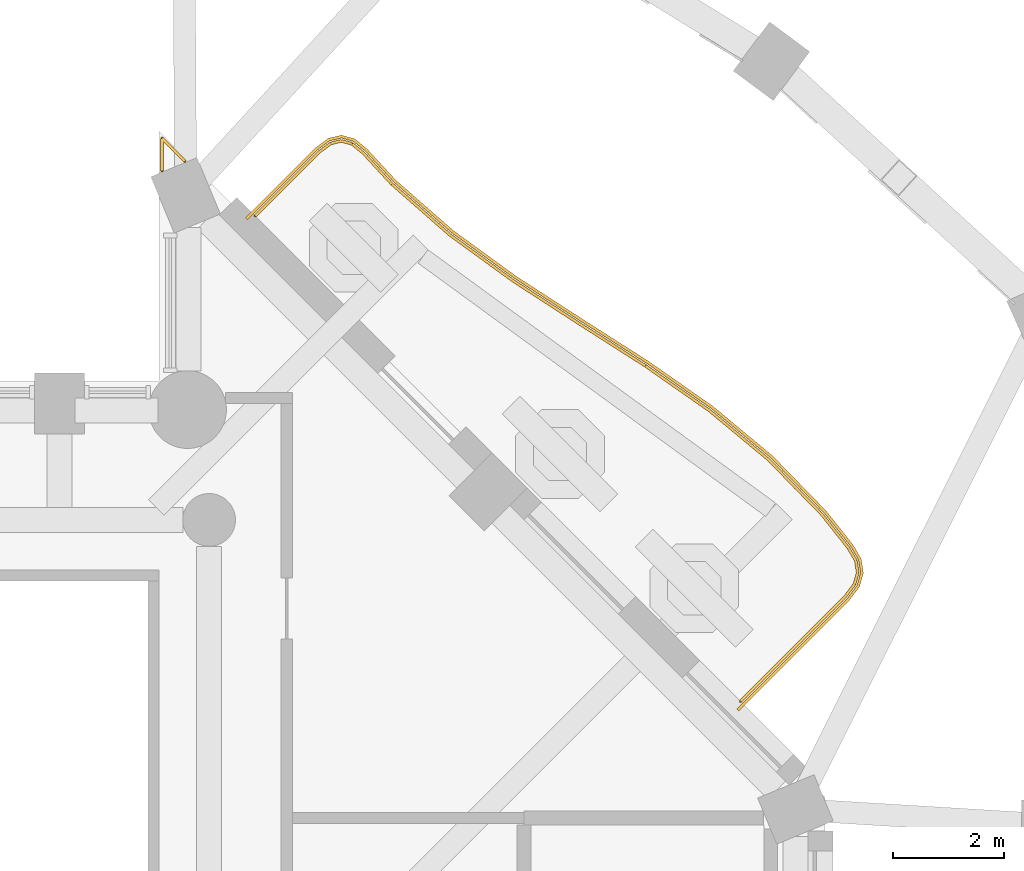
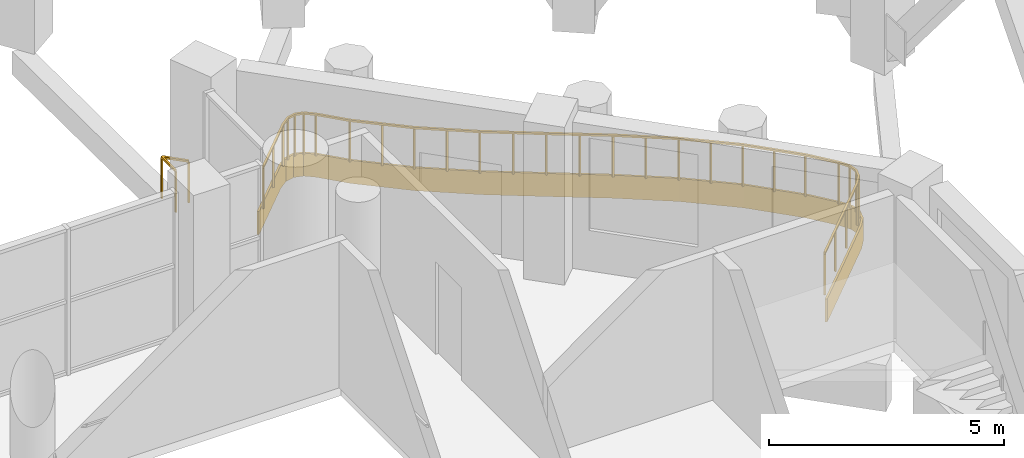
# One storey, part 15 of 16: 2 railings, 1 covering.
"""IFC4 building model written with IfcOpenShell, lengths in metres."""

import ifcopenshell
import ifcopenshell.guid

model = None  # the IFC model being written
_history = None  # IfcOwnerHistory: only IFC2X3 demands one
_inside = {}  # id of a spatial element -> (the spatial element, [elements in it])
_under = {}  # id of a project, library or spatial element -> (it, [spatial elements below it])
_declared = {}  # id of a project -> (the project, [libraries it declares])
_typed = {}  # id of a type object -> (the type object, [elements of that type])
_made_of = {}  # id of a material, layer set ... -> (it, [elements and type objects made of it])


def new_model(schema):
    """Start an empty IFC model of exactly this schema.

    Asked for "IFC4X3", IfcOpenShell would pick the latest addendum, in which some entities
    have other attributes; the version numbers below select the first issue.
    IFC2X3 requires an IfcOwnerHistory on every rooted entity: one is made here for all.
    """
    global model, _history
    if schema == "IFC4X3":
        model = ifcopenshell.file(schema_version=(4, 3, 0, 0))
    else:
        model = ifcopenshell.file(schema=schema)
    _inside.clear()
    _under.clear()
    _declared.clear()
    _typed.clear()
    _made_of.clear()
    _history = None
    if model.schema == "IFC2X3":
        org = make("IfcOrganization", Name="unknown")
        user = make(
            "IfcPersonAndOrganization",
            ThePerson=make("IfcPerson", FamilyName="unknown"),
            TheOrganization=org,
        )
        app = make(
            "IfcApplication",
            ApplicationDeveloper=org,
            Version="unknown",
            ApplicationFullName="unknown",
            ApplicationIdentifier="unknown",
        )
        _history = make(
            "IfcOwnerHistory",
            OwningUser=user,
            OwningApplication=app,
            ChangeAction="ADDED",
            CreationDate=0,
        )
    return model


def make(cls, **values):
    """One entity of the class cls with the attributes given. An attribute that is None is left unset."""
    return model.create_entity(
        cls, **{name: value for name, value in values.items() if value is not None}
    )


def rooted(cls, **values):
    """An entity with a GlobalId (a new one), such as an element, a storey or a relation."""
    return make(cls, GlobalId=ifcopenshell.guid.new(), OwnerHistory=_history, **values)


def si_unit(unit_type, name, prefix=None):
    """IfcSIUnit, for example si_unit("LENGTHUNIT", "METRE", prefix="MILLI")."""
    return make("IfcSIUnit", UnitType=unit_type, Prefix=prefix, Name=name)


def assignment(units):
    """IfcUnitAssignment: the units of a project."""
    return None if units is None else make("IfcUnitAssignment", Units=units)


def point(xyz):
    """IfcCartesianPoint."""
    return None if xyz is None else make("IfcCartesianPoint", Coordinates=xyz)


def direction(xyz):
    """IfcDirection."""
    return None if xyz is None else make("IfcDirection", DirectionRatios=xyz)


def frame(location, z_axis=None, x_axis=None):
    """IfcAxis2Placement3D, a coordinate frame: its origin and axes. An axis left out is left unset."""
    return make(
        "IfcAxis2Placement3D",
        Location=point(location),
        Axis=direction(z_axis),
        RefDirection=direction(x_axis),
    )


def frame_2d(location, x_axis=None):
    """IfcAxis2Placement2D, a coordinate frame in the plane: its origin and x axis."""
    return make(
        "IfcAxis2Placement2D", Location=point(location), RefDirection=direction(x_axis)
    )


def origin():
    """The frame at (0, 0, 0) with its axes left unset."""
    return frame((0.0, 0.0, 0.0))


def origin_2d():
    """The frame at (0, 0) in the plane with its x axis left unset."""
    return frame_2d((0.0, 0.0))


def place(relative_to, where):
    """IfcLocalPlacement: puts the frame where relative to a parent placement (None: the world)."""
    return make(
        "IfcLocalPlacement", PlacementRelTo=relative_to, RelativePlacement=where
    )


def context(
    kind, dimensions, precision=None, world=None, true_north=None, identifier=None
):
    """IfcGeometricRepresentationContext, for example the 3D "Model" context."""
    return make(
        "IfcGeometricRepresentationContext",
        ContextIdentifier=identifier,
        ContextType=kind,
        CoordinateSpaceDimension=dimensions,
        Precision=precision,
        WorldCoordinateSystem=world,
        TrueNorth=true_north,
    )


def subcontext(parent, identifier, kind, view, scale=None):
    """IfcGeometricRepresentationSubContext, for example "Body" below "Model"."""
    return make(
        "IfcGeometricRepresentationSubContext",
        ContextIdentifier=identifier,
        ContextType=kind,
        ParentContext=parent,
        TargetScale=scale,
        TargetView=view,
    )


def project(units=None, contexts=None):
    """IfcProject with its units and contexts."""
    return rooted(
        "IfcProject",
        Name="project",
        RepresentationContexts=contexts,
        UnitsInContext=assignment(units),
    )


def spatial(cls, under=None, at=None, **own):
    """A site, building, storey or space (cls), placed at a placement, below another one or the project."""
    s = rooted(cls, ObjectPlacement=at, **own)
    if under is not None:
        _under.setdefault(under.id(), (under, []))[1].append(s)
    return s


def polyline(points):
    """IfcPolyline through the points."""
    return make("IfcPolyline", Points=[point(p) for p in points])


def profile(cls, at=None, kind="AREA", **sizes):
    """A parametric profile (cls). Its sizes go by their IFC names, for example OverallWidth=200.0."""
    return make(cls, ProfileType=kind, Position=at, **sizes)


def rectangle(**sizes):
    """IfcRectangleProfileDef."""
    return profile("IfcRectangleProfileDef", **sizes)


def outline(outer, holes=None, kind="AREA"):
    """IfcArbitraryClosedProfileDef: a profile drawn as a closed curve; with holes, ...WithVoids."""
    if holes is None:
        return make("IfcArbitraryClosedProfileDef", ProfileType=kind, OuterCurve=outer)
    return make(
        "IfcArbitraryProfileDefWithVoids",
        ProfileType=kind,
        OuterCurve=outer,
        InnerCurves=holes,
    )


def extrude(swept, where, along, depth):
    """IfcExtrudedAreaSolid: the profile swept, set in the frame where, extruded along a direction by depth."""
    return make(
        "IfcExtrudedAreaSolid",
        SweptArea=swept,
        Position=where,
        ExtrudedDirection=direction(along),
        Depth=depth,
    )


def shape(context_of_items, identifier, shape_type, items):
    """IfcShapeRepresentation: the items that make up one representation, for example the "Body"."""
    return make(
        "IfcShapeRepresentation",
        ContextOfItems=context_of_items,
        RepresentationIdentifier=identifier,
        RepresentationType=shape_type,
        Items=items,
    )


def material(Name=None, Category=None):
    """IfcMaterial."""
    return make("IfcMaterial", Name=Name, Category=Category)


def layer(
    of_material, thickness, ventilated=None, Name=None, Category=None, Priority=None
):
    """IfcMaterialLayer: one layer of a wall or slab, of a material (None: an air gap)."""
    return make(
        "IfcMaterialLayer",
        Material=of_material,
        LayerThickness=thickness,
        IsVentilated=ventilated,
        Name=Name,
        Category=Category,
        Priority=Priority,
    )


def layer_set(layers, Name=None):
    """IfcMaterialLayerSet."""
    return make("IfcMaterialLayerSet", MaterialLayers=layers, LayerSetName=Name)


def made_of(thing, what):
    """Note that an element or type object is made of a material, layer set ...; save() writes the relation."""
    if what is not None:
        _made_of.setdefault(what.id(), (what, []))[1].append(thing)
    return thing


def type_object(cls, material=None, **own):
    """A type object (cls), such as IfcWallType, which elements share."""
    return made_of(rooted(cls, **own), material)


def element(
    cls,
    number,
    at=None,
    inside=None,
    cuts=None,
    type_object=None,
    material=None,
    context=None,
    identifier="Body",
    shape_type=None,
    held_by="IfcProductDefinitionShape",
    body=None,
    shapes=None,
    **own,
):
    """One element of the class cls, such as IfcWall. Its Tag is "e" and its number.

    at: its placement. inside: the storey or other place that contains it. cuts: it is an
    opening in that element (IfcRelVoidsElement). A single representation is given by context,
    identifier, shape_type and body (its items); several are given by shapes. held_by: the class
    of the entity that holds the representations. save() writes the other relations.
    """
    e = rooted(cls, Tag="e%d" % number, ObjectPlacement=at, **own)
    if body is not None:
        shapes = [shape(context, identifier, shape_type, body)]
    if shapes is not None:
        e.Representation = make(held_by, Representations=shapes)
    if inside is not None:
        _inside.setdefault(inside.id(), (inside, []))[1].append(e)
    if cuts is not None:
        rooted(
            "IfcRelVoidsElement", RelatingBuildingElement=cuts, RelatedOpeningElement=e
        )
    if type_object is not None:
        _typed.setdefault(type_object.id(), (type_object, []))[1].append(e)
    return made_of(e, material)


def aggregate(whole, parts):
    """IfcRelAggregates: a whole, such as a stair, and the parts it consists of."""
    return rooted("IfcRelAggregates", RelatingObject=whole, RelatedObjects=parts)


def save(model, path):
    """Write the relations noted so far, then the file.

    IfcRelAggregates (storeys below a building ...), IfcRelContainedInSpatialStructure (elements
    in a storey), IfcRelDefinesByType, IfcRelAssociatesMaterial and IfcRelDeclares: one each for
    every whole, place, type object, material and project.
    """
    for whole, parts in _under.values():
        aggregate(whole, parts)
    for where, things in _inside.values():
        rooted(
            "IfcRelContainedInSpatialStructure",
            RelatedElements=things,
            RelatingStructure=where,
        )
    for kind, things in _typed.values():
        rooted("IfcRelDefinesByType", RelatedObjects=things, RelatingType=kind)
    for what, things in _made_of.values():
        rooted("IfcRelAssociatesMaterial", RelatedObjects=things, RelatingMaterial=what)
    for by, libraries in _declared.values():
        rooted("IfcRelDeclares", RelatingContext=by, RelatedDefinitions=libraries)
    model.write(path)


model = new_model("IFC4")

# Units and contexts
model_context = context("Model", 3, precision=1e-05, world=origin(), true_north=direction((0.0, 1.0)))
body_context = subcontext(model_context, "Body", "Model", "MODEL_VIEW")
ifc_project = project(units=[si_unit("LENGTHUNIT", "METRE"), si_unit("AREAUNIT", "SQUARE_METRE"), si_unit("VOLUMEUNIT", "CUBIC_METRE"), si_unit("PLANEANGLEUNIT", "RADIAN"), si_unit("MASSUNIT", "GRAM", prefix="KILO")], contexts=[model_context])

# Site, building, storey
site_placement = place(None, origin())
site = spatial("IfcSite", under=ifc_project, at=site_placement, CompositionType="ELEMENT")
building_placement = place(site_placement, origin())
building = spatial("IfcBuilding", under=site, at=building_placement, Name="Cypress Arch Tower", CompositionType="ELEMENT")
storey_placement = place(building_placement, frame((0.0, 0.0, 168.699951171875)))
storey = spatial("IfcBuildingStorey", under=building, at=storey_placement, Name="L36", CompositionType="ELEMENT", Elevation=168.699951171875)

# Covering
ifc_material_1 = material(Name="White powder-coated aluminium fascia", Category="aluminium")
ifc_layer = layer(ifc_material_1, 0.050048828125)
ifc_layer_set = layer_set([ifc_layer], Name="Balcony fascia BF50")
covering_type = type_object("IfcCoveringType", Name="Balcony fascia BF50", PredefinedType="CLADDING", material=ifc_layer_set)
covering_placement = place(storey_placement, frame((0.0, 0.0, -0.599853515625)))
element("IfcCovering", 1, at=covering_placement, inside=storey, type_object=covering_type, Name="Balcony fascia L36-B05", PredefinedType="CLADDING", context=body_context, shape_type="SweptSolid", body=[
    extrude(outline(polyline([(10.91748046875, 16.706298828125), (11.148193359375, 16.87890625), (11.38818359375, 16.936279296875), (11.62548828125, 16.869140625), (11.8486328125, 16.68701171875), (12.365966796875, 16.12548828125), (13.406982421875, 15.2138671875), (14.539306640625, 14.3916015625), (15.727783203125, 13.62255859375), (16.9248046875, 12.85888671875), (18.080810546875, 12.05078125), (19.154541015625, 11.158447265625), (20.124755859375, 10.161865234375), (20.60498046875, 9.5556640625), (20.754150390625, 9.301513671875), (20.7958984375, 9.044189453125), (20.724609375, 8.793701171875), (20.547119140625, 8.558349609375), (18.545166015625, 6.556396484375), (18.509765625, 6.591796875), (20.50927734375, 8.59130859375), (20.67919921875, 8.816162109375), (20.744873046875, 9.047119140625), (20.706298828125, 9.2841796875), (20.5634765625, 9.52734375), (20.087158203125, 10.12890625), (19.12060546875, 11.121826171875), (18.05029296875, 12.010986328125), (16.897216796875, 12.8173828125), (15.70068359375, 13.58056640625), (14.510986328125, 14.350341796875), (13.375732421875, 15.1748046875), (12.3310546875, 16.089599609375), (11.814453125, 16.650634765625), (11.601806640625, 16.823974609375), (11.386962890625, 16.884521484375), (11.169921875, 16.832763671875), (10.950439453125, 16.66845703125), (9.691650390625, 15.40966796875), (9.65625, 15.445068359375), (10.91748046875, 16.706298828125)])), origin(), (0.0, 0.0, 1.0), 0.599853515625),
])

# Railings
ifc_material_2 = material(Name="Powder-coated steel posts and rods, 100 mm clear between rods", Category="steel")
railing_type_1 = type_object("IfcRailingType", Name="Balcony guard GR1100", PredefinedType="GUARDRAIL", material=ifc_material_2)
railing_1_placement = place(storey_placement, frame((9.83251953125, 15.479736328125, 0.0)))
element("IfcRailing", 2, at=railing_1_placement, inside=storey, type_object=railing_type_1, Name="Balcony guard L36-B05", PredefinedType="GUARDRAIL", context=body_context, shape_type="SweptSolid", body=[
    extrude(rectangle(XDim=0.050048828125, YDim=0.050048828125, at=origin_2d()), frame((0.0, 0.0, 1.0751953125), z_axis=(0.707031768533, 0.707181785883, 0.0), x_axis=(-0.707181785883, 0.707031768533, 0.0)), (0.0, 0.0, 1.0), 1.62744140625),
    extrude(rectangle(XDim=0.050048828125, YDim=0.050048828125, at=origin_2d()), frame((1.150634765625, 1.15087890625, 1.0751953125), z_axis=(0.80033764762, 0.599549539073, 0.0), x_axis=(-0.599549539073, 0.80033764762, 0.0)), (0.0, 0.0, 1.0), 0.26025390625),
    extrude(rectangle(XDim=0.050048828125, YDim=0.050048828125, at=origin_2d()), frame((1.35888671875, 1.306884765625, 1.0751953125), z_axis=(0.972740698198, 0.231895524037, 0.0), x_axis=(-0.231895524037, 0.972740698198, 0.0)), (0.0, 0.0, 1.0), 0.199951171875),
    extrude(rectangle(XDim=0.050048828125, YDim=0.050048828125, at=origin_2d()), frame((1.553466796875, 1.353271484375, 1.0751953125), z_axis=(0.962212082575, -0.272301135044, 0.0), x_axis=(0.272301135044, 0.962212082575, 0.0)), (0.0, 0.0, 1.0), 0.199951171875),
    extrude(rectangle(XDim=0.050048828125, YDim=0.050048828125, at=origin_2d()), frame((1.745849609375, 1.298828125, 1.0751953125), z_axis=(0.774792471384, -0.632215648562, 0.0), x_axis=(0.632215648562, 0.774792471384, 0.0)), (0.0, 0.0, 1.0), 0.26025390625),
    extrude(rectangle(XDim=0.050048828125, YDim=0.050048828125, at=origin_2d()), frame((1.947509765625, 1.13427734375, 1.0751953125), z_axis=(0.677507694657, -0.735515685543, 0.0), x_axis=(0.735515685543, 0.677507694657, 0.0)), (0.0, 0.0, 1.0), 0.76171875),
    extrude(rectangle(XDim=0.050048828125, YDim=0.050048828125, at=origin_2d()), frame((2.463623046875, 0.573974609375, 1.0751953125), z_axis=(0.752251034808, -0.65887660501, 0.0), x_axis=(0.65887660501, 0.752251034808, 0.0)), (0.0, 0.0, 1.0), 1.3935546875),
    extrude(rectangle(XDim=0.050048828125, YDim=0.050048828125, at=origin_2d()), frame((3.511962890625, -0.34423828125, 1.0751953125), z_axis=(0.809193694642, -0.587541968332, 0.0), x_axis=(0.587541968332, 0.809193694642, 0.0)), (0.0, 0.0, 1.0), 1.406494140625),
    extrude(rectangle(XDim=0.050048828125, YDim=0.050048828125, at=origin_2d()), frame((4.650146484375, -1.170654296875, 1.0751953125), z_axis=(0.839519362053, -0.543329771628, 0.0), x_axis=(0.543329771628, 0.839519362053, 0.0)), (0.0, 0.0, 1.0), 1.41845703125),
    extrude(rectangle(XDim=0.050048828125, YDim=0.050048828125, at=origin_2d()), frame((5.841064453125, -1.94140625, 1.0751953125), z_axis=(0.843108189234, -0.537743973697, 0.0), x_axis=(0.537743973697, 0.843108189234, 0.0)), (0.0, 0.0, 1.0), 1.418212890625),
    extrude(rectangle(XDim=0.050048828125, YDim=0.050048828125, at=origin_2d()), frame((7.036865234375, -2.7041015625, 1.0751953125), z_axis=(0.819566732725, -0.572983743757, 0.0), x_axis=(0.572983743757, 0.819566732725, 0.0)), (0.0, 0.0, 1.0), 1.404052734375),
    extrude(rectangle(XDim=0.050048828125, YDim=0.050048828125, at=origin_2d()), frame((8.1875, -3.508544921875, 1.0751953125), z_axis=(0.769158421439, -0.639058152855, 0.0), x_axis=(0.639058152855, 0.769158421439, 0.0)), (0.0, 0.0, 1.0), 1.38671875),
    extrude(rectangle(XDim=0.050048828125, YDim=0.050048828125, at=origin_2d()), frame((9.254150390625, -4.394775390625, 1.0751953125), z_axis=(0.697492444578, -0.716592136265, 0.0), x_axis=(0.716592136265, 0.697492444578, 0.0)), (0.0, 0.0, 1.0), 1.380615234375),
    extrude(rectangle(XDim=0.050048828125, YDim=0.050048828125, at=origin_2d()), frame((10.217041015625, -5.384033203125, 1.0751953125), z_axis=(0.62093293947, -0.783863690116, 0.0), x_axis=(0.783863690116, 0.62093293947, 0.0)), (0.0, 0.0, 1.0), 0.76123046875),
    extrude(rectangle(XDim=0.050048828125, YDim=0.050048828125, at=origin_2d()), frame((10.689697265625, -5.980712890625, 1.0751953125), z_axis=(0.506464702582, -0.86226069436, 0.0), x_axis=(0.86226069436, 0.506464702582, 0.0)), (0.0, 0.0, 1.0), 0.26904296875),
    extrude(rectangle(XDim=0.050048828125, YDim=0.050048828125, at=origin_2d()), frame((10.825927734375, -6.212646484375, 1.0751953125), z_axis=(0.160071158554, -0.987105477748, 0.0), x_axis=(0.987105477748, 0.160071158554, 0.0)), (0.0, 0.0, 1.0), 0.2197265625),
    extrude(rectangle(XDim=0.050048828125, YDim=0.050048828125, at=origin_2d()), frame((10.861083984375, -6.429443359375, 1.0751953125), z_axis=(-0.273253730261, -0.961941993521, 0.0), x_axis=(0.961941993521, -0.273253730261, 0.0)), (0.0, 0.0, 1.0), 0.2197265625),
    extrude(rectangle(XDim=0.050048828125, YDim=0.050048828125, at=origin_2d()), frame((10.801025390625, -6.640869140625, 1.0751953125), z_axis=(-0.602756036208, -0.797925535884, 0.0), x_axis=(0.797925535884, -0.602756036208, 0.0)), (0.0, 0.0, 1.0), 0.26904296875),
    extrude(rectangle(XDim=0.050048828125, YDim=0.050048828125, at=origin_2d()), frame((10.638916015625, -6.85546875, 1.0751953125), z_axis=(-0.707061151091, -0.707152408338, 0.0), x_axis=(0.707152408338, -0.707061151091, 0.0)), (0.0, 0.0, 1.0), 2.67529296875),
    extrude(rectangle(XDim=0.0400390625, YDim=0.0400390625, at=origin_2d()), origin(), (0.0, 0.0, 1.0), 1.050048828125),
    extrude(rectangle(XDim=0.0400390625, YDim=0.0400390625, at=origin_2d()), frame((0.5751953125, 0.575439453125, 0.0)), (0.0, 0.0, 1.0), 1.050048828125),
    extrude(rectangle(XDim=0.0400390625, YDim=0.0400390625, at=origin_2d()), frame((1.150634765625, 1.15087890625, 0.0)), (0.0, 0.0, 1.0), 1.050048828125),
    extrude(rectangle(XDim=0.0400390625, YDim=0.0400390625, at=origin_2d()), frame((1.35888671875, 1.306884765625, 0.0)), (0.0, 0.0, 1.0), 1.050048828125),
    extrude(rectangle(XDim=0.0400390625, YDim=0.0400390625, at=origin_2d()), frame((1.553466796875, 1.353271484375, 0.0)), (0.0, 0.0, 1.0), 1.050048828125),
    extrude(rectangle(XDim=0.0400390625, YDim=0.0400390625, at=origin_2d()), frame((1.745849609375, 1.298828125, 0.0)), (0.0, 0.0, 1.0), 1.050048828125),
    extrude(rectangle(XDim=0.0400390625, YDim=0.0400390625, at=origin_2d()), frame((1.947509765625, 1.13427734375, 0.0)), (0.0, 0.0, 1.0), 1.050048828125),
    extrude(rectangle(XDim=0.0400390625, YDim=0.0400390625, at=origin_2d()), frame((2.463623046875, 0.573974609375, 0.0)), (0.0, 0.0, 1.0), 1.050048828125),
    extrude(rectangle(XDim=0.0400390625, YDim=0.0400390625, at=origin_2d()), frame((2.98779296875, 0.11474609375, 0.0)), (0.0, 0.0, 1.0), 1.050048828125),
    extrude(rectangle(XDim=0.0400390625, YDim=0.0400390625, at=origin_2d()), frame((3.511962890625, -0.34423828125, 0.0)), (0.0, 0.0, 1.0), 1.050048828125),
    extrude(rectangle(XDim=0.0400390625, YDim=0.0400390625, at=origin_2d()), frame((4.0810546875, -0.75732421875, 0.0)), (0.0, 0.0, 1.0), 1.050048828125),
    extrude(rectangle(XDim=0.0400390625, YDim=0.0400390625, at=origin_2d()), frame((4.650146484375, -1.170654296875, 0.0)), (0.0, 0.0, 1.0), 1.050048828125),
    extrude(rectangle(XDim=0.0400390625, YDim=0.0400390625, at=origin_2d()), frame((5.24560546875, -1.55615234375, 0.0)), (0.0, 0.0, 1.0), 1.050048828125),
    extrude(rectangle(XDim=0.0400390625, YDim=0.0400390625, at=origin_2d()), frame((5.841064453125, -1.94140625, 0.0)), (0.0, 0.0, 1.0), 1.050048828125),
    extrude(rectangle(XDim=0.0400390625, YDim=0.0400390625, at=origin_2d()), frame((6.43896484375, -2.32275390625, 0.0)), (0.0, 0.0, 1.0), 1.050048828125),
    extrude(rectangle(XDim=0.0400390625, YDim=0.0400390625, at=origin_2d()), frame((7.036865234375, -2.7041015625, 0.0)), (0.0, 0.0, 1.0), 1.050048828125),
    extrude(rectangle(XDim=0.0400390625, YDim=0.0400390625, at=origin_2d()), frame((7.6123046875, -3.1064453125, 0.0)), (0.0, 0.0, 1.0), 1.050048828125),
    extrude(rectangle(XDim=0.0400390625, YDim=0.0400390625, at=origin_2d()), frame((8.1875, -3.508544921875, 0.0)), (0.0, 0.0, 1.0), 1.050048828125),
    extrude(rectangle(XDim=0.0400390625, YDim=0.0400390625, at=origin_2d()), frame((8.720703125, -3.95166015625, 0.0)), (0.0, 0.0, 1.0), 1.050048828125),
    extrude(rectangle(XDim=0.0400390625, YDim=0.0400390625, at=origin_2d()), frame((9.254150390625, -4.394775390625, 0.0)), (0.0, 0.0, 1.0), 1.050048828125),
    extrude(rectangle(XDim=0.0400390625, YDim=0.0400390625, at=origin_2d()), frame((9.735595703125, -4.889404296875, 0.0)), (0.0, 0.0, 1.0), 1.050048828125),
    extrude(rectangle(XDim=0.0400390625, YDim=0.0400390625, at=origin_2d()), frame((10.217041015625, -5.384033203125, 0.0)), (0.0, 0.0, 1.0), 1.050048828125),
    extrude(rectangle(XDim=0.0400390625, YDim=0.0400390625, at=origin_2d()), frame((10.689697265625, -5.980712890625, 0.0)), (0.0, 0.0, 1.0), 1.050048828125),
    extrude(rectangle(XDim=0.0400390625, YDim=0.0400390625, at=origin_2d()), frame((10.825927734375, -6.212646484375, 0.0)), (0.0, 0.0, 1.0), 1.050048828125),
    extrude(rectangle(XDim=0.0400390625, YDim=0.0400390625, at=origin_2d()), frame((10.861083984375, -6.429443359375, 0.0)), (0.0, 0.0, 1.0), 1.050048828125),
    extrude(rectangle(XDim=0.0400390625, YDim=0.0400390625, at=origin_2d()), frame((10.801025390625, -6.640869140625, 0.0)), (0.0, 0.0, 1.0), 1.050048828125),
    extrude(rectangle(XDim=0.0400390625, YDim=0.0400390625, at=origin_2d()), frame((10.638916015625, -6.85546875, 0.0)), (0.0, 0.0, 1.0), 1.050048828125),
    extrude(rectangle(XDim=0.0400390625, YDim=0.0400390625, at=origin_2d()), frame((10.00830078125, -7.486083984375, 0.0)), (0.0, 0.0, 1.0), 1.050048828125),
    extrude(rectangle(XDim=0.0400390625, YDim=0.0400390625, at=origin_2d()), frame((9.3779296875, -8.11669921875, 0.0)), (0.0, 0.0, 1.0), 1.050048828125),
    extrude(rectangle(XDim=0.0400390625, YDim=0.0400390625, at=origin_2d()), frame((8.747314453125, -8.747314453125, 0.0)), (0.0, 0.0, 1.0), 1.050048828125),
])
ifc_material_3 = material(Name="Powder-coated steel posts and rods, 100 mm clear between rods", Category="steel")
railing_type_2 = type_object("IfcRailingType", Name="Corner guard GR1100C", PredefinedType="GUARDRAIL", material=ifc_material_3)
railing_2_placement = place(storey_placement, frame((8.14990234375, 16.290771484375, 0.0)))
element("IfcRailing", 3, at=railing_2_placement, inside=storey, type_object=railing_type_2, Name="Corner guard L36 7", PredefinedType="GUARDRAIL", context=body_context, shape_type="SweptSolid", body=[
    extrude(rectangle(XDim=0.050048828125, YDim=0.050048828125, at=origin_2d()), frame((0.0, 0.0, 1.0751953125), z_axis=(0.0, 1.0, 0.0), x_axis=(-1.0, 0.0, 0.0)), (0.0, 0.0, 1.0), 0.588623046875),
    extrude(rectangle(XDim=0.050048828125, YDim=0.050048828125, at=origin_2d()), frame((0.0, 0.588623046875, 1.0751953125), z_axis=(0.707106781187, -0.707106781187, 0.0), x_axis=(0.707106781187, 0.707106781187, 0.0)), (0.0, 0.0, 1.0), 0.588623046875),
    extrude(rectangle(XDim=0.0400390625, YDim=0.0400390625, at=origin_2d()), origin(), (0.0, 0.0, 1.0), 1.050048828125),
    extrude(rectangle(XDim=0.0400390625, YDim=0.0400390625, at=origin_2d()), frame((0.0, 0.588623046875, 0.0)), (0.0, 0.0, 1.0), 1.050048828125),
    extrude(rectangle(XDim=0.0400390625, YDim=0.0400390625, at=origin_2d()), frame((0.416259765625, 0.17236328125, 0.0)), (0.0, 0.0, 1.0), 1.050048828125),
])

save(model, "model.ifc")
